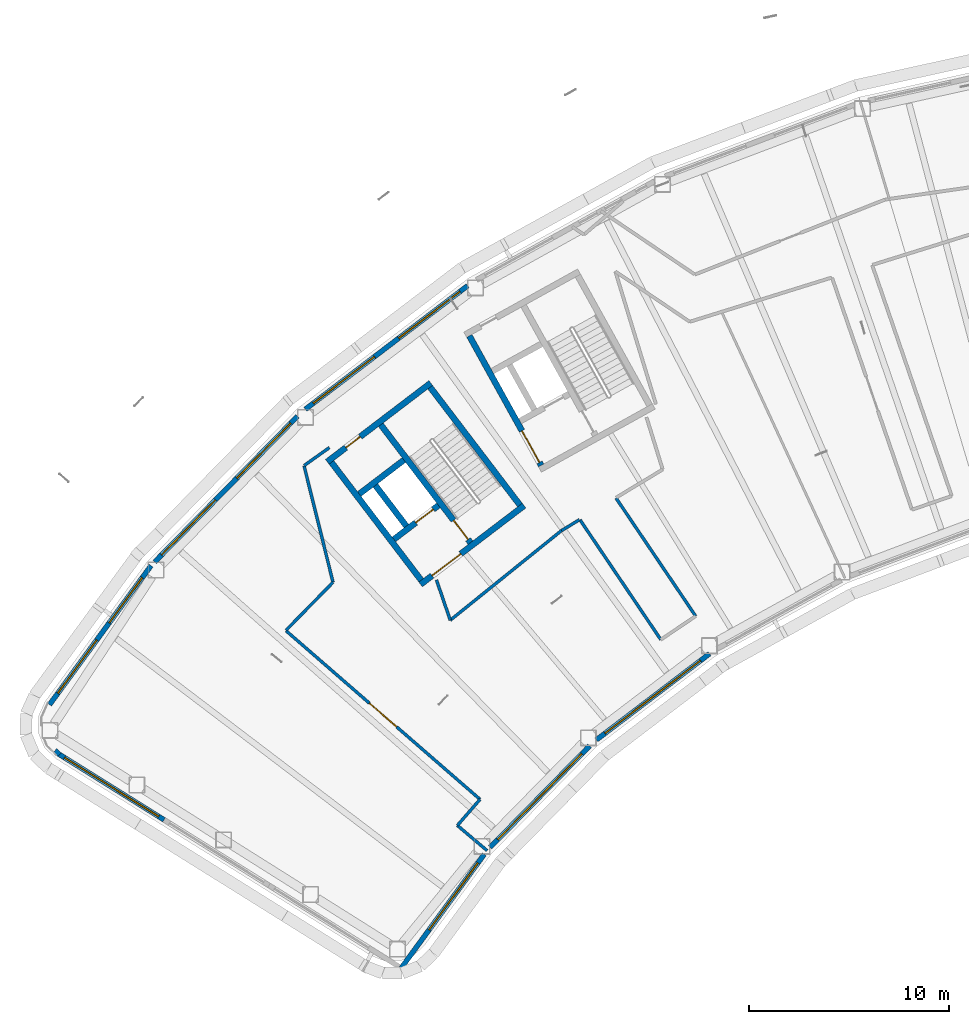
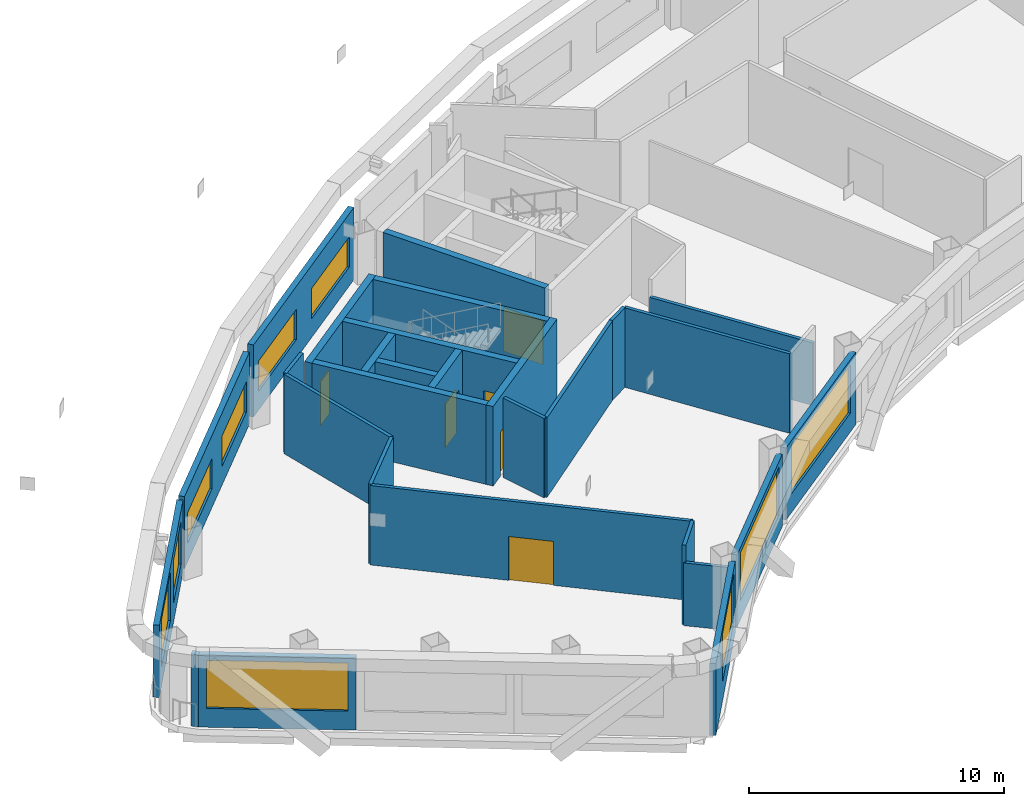
# One storey, part 5 of 21: 28 walls, 10 windows, 6 doors, 16 openings.
"""IFC4 building model written with IfcOpenShell, lengths in metres."""

from ifc_helpers import new_model, si_unit, direction, frame, frame_2d, origin, place, context, subcontext, project, spatial, rectangle, extrude, material, layer, layer_set, type_object, element, fill, save


model = new_model("IFC4")

# Units and contexts
model_context = context("Model", 3, precision=1e-05, world=origin(), true_north=direction((0.0, 1.0)))
body_context = subcontext(model_context, "Body", "Model", "MODEL_VIEW")
ifc_project = project(units=[si_unit("LENGTHUNIT", "METRE"), si_unit("AREAUNIT", "SQUARE_METRE"), si_unit("VOLUMEUNIT", "CUBIC_METRE"), si_unit("PLANEANGLEUNIT", "RADIAN"), si_unit("MASSUNIT", "GRAM", prefix="KILO")], contexts=[model_context])

# Site, building, storey
site_placement = place(None, origin())
site = spatial("IfcSite", under=ifc_project, at=site_placement, CompositionType="ELEMENT")
building_placement = place(site_placement, origin())
building = spatial("IfcBuilding", under=site, at=building_placement, Name="Tuul Gate Civic Tower", CompositionType="ELEMENT")
storey_placement = place(building_placement, frame((0.0, 0.0, 311.0)))
storey = spatial("IfcBuildingStorey", under=building, at=storey_placement, Name="Level 70", CompositionType="ELEMENT", Elevation=311.0)

# Wall, opening, door
ifc_material_1 = material(Name="Concrete C50/60", Category="concrete")
ifc_layer_1 = layer(ifc_material_1, 0.300048828125)
ifc_layer_set_1 = layer_set([ifc_layer_1], Name="Concrete C50/60")
wall_type_1 = type_object("IfcWallType", Name="Core wall C50/60", PredefinedType="SHEAR", material=ifc_layer_set_1)
wall_1_placement = place(storey_placement, frame((-31.19091796875, -13.669677734375, 0.0), z_axis=(0.0, 0.0, 1.0), x_axis=(-0.795606717756, -0.605813461934, 0.0)))
wall_1 = element("IfcWall", 1, at=wall_1_placement, inside=storey, type_object=wall_type_1, Name="Core wall", PredefinedType="SHEAR", context=body_context, shape_type="SweptSolid", body=[
    extrude(rectangle(XDim=6.5, YDim=0.300048828125, at=frame_2d((3.25, 0.0))), origin(), (0.0, 0.0, 1.0), 3.800048828125),
])
opening_1_placement = place(wall_1_placement, frame((3.97509765625, 0.0, 0.0)))
opening_1 = element("IfcOpeningElement", 2, at=opening_1_placement, cuts=wall_1, Name="Opening LB-W1-LOBBY-1", PredefinedType="OPENING", context=body_context, shape_type="SweptSolid", body=[
    extrude(rectangle(XDim=1.800048828125, YDim=2.10009765625, at=frame_2d((0.89990234375, 1.050048828125))), frame((0.0, 0.16015625, 0.0), z_axis=(0.0, -1.0, 0.0), x_axis=(1.0, 0.0, 0.0)), (0.0, 0.0, 1.0), 0.320068359375),
])
ifc_material_2 = material(Name="Steel", Category="steel")
door_type_1 = type_object("IfcDoorType", Name="Lobby door", OperationType="DOUBLE_DOOR_SINGLE_SWING", PredefinedType="DOOR", material=ifc_material_2)
door_1_placement = place(opening_1_placement, origin())
door_1 = element("IfcDoor", 3, at=door_1_placement, inside=storey, type_object=door_type_1, Name="Lobby door W1-LOBBY", OperationType="DOUBLE_DOOR_SINGLE_SWING", OverallHeight=2.10009765625, OverallWidth=1.800048828125, PredefinedType="DOOR", context=body_context, shape_type="SweptSolid", body=[
    extrude(rectangle(XDim=1.800048828125, YDim=2.10009765625, at=frame_2d((0.89990234375, 1.050048828125))), frame((0.0, 0.02490234375, 0.0), z_axis=(0.0, -1.0, 0.0), x_axis=(1.0, 0.0, 0.0)), (0.0, 0.0, 1.0), 0.050048828125),
])
fill(opening_1, door_1)

wall_2_placement = place(storey_placement, frame((-35.470947265625, -13.66064453125, 0.0), z_axis=(0.0, 0.0, 1.0), x_axis=(-0.795615822227, -0.605801504968, 0.0)))
wall_2 = element("IfcWall", 4, at=wall_2_placement, inside=storey, type_object=wall_type_1, Name="Core wall", PredefinedType="SHEAR", context=body_context, shape_type="SweptSolid", body=[
    extrude(rectangle(XDim=2.800048828125, YDim=0.300048828125, at=frame_2d((1.39990234375, 0.0))), origin(), (0.0, 0.0, 1.0), 3.800048828125),
])
opening_2_placement = place(wall_2_placement, frame((0.324951171875, 0.0, 0.0)))
opening_2 = element("IfcOpeningElement", 5, at=opening_2_placement, cuts=wall_2, Name="Opening LD-H1", PredefinedType="OPENING", context=body_context, shape_type="SweptSolid", body=[
    extrude(rectangle(XDim=1.10009765625, YDim=2.10009765625, at=frame_2d((0.550048828125, 1.050048828125))), frame((0.0, 0.16015625, 0.0), z_axis=(0.0, -1.0, 0.0), x_axis=(1.0, 0.0, 0.0)), (0.0, 0.0, 1.0), 0.320068359375),
])
ifc_material_3 = material(Name="Stainless steel", Category="steel")
door_type_2 = type_object("IfcDoorType", Name="Landing door", OperationType="DOUBLE_DOOR_SLIDING", PredefinedType="DOOR", material=ifc_material_3)
door_2_placement = place(opening_2_placement, origin())
door_2 = element("IfcDoor", 6, at=door_2_placement, inside=storey, type_object=door_type_2, Name="High-rise lift H1 landing door", OperationType="DOUBLE_DOOR_SLIDING", OverallHeight=2.10009765625, OverallWidth=1.10009765625, PredefinedType="DOOR", context=body_context, shape_type="SweptSolid", body=[
    extrude(rectangle(XDim=1.10009765625, YDim=2.10009765625, at=frame_2d((0.550048828125, 1.050048828125))), frame((0.0, 0.02490234375, 0.0), z_axis=(0.0, -1.0, 0.0), x_axis=(1.0, 0.0, 0.0)), (0.0, 0.0, 1.0), 0.050048828125),
])
fill(opening_2, door_2)

# Wall
wall_3_placement = place(storey_placement, frame((-37.197509765625, -11.39306640625, 0.0), z_axis=(0.0, 0.0, 1.0), x_axis=(-0.795583820278, -0.605843531707, 0.0)))
element("IfcWall", 7, at=wall_3_placement, inside=storey, type_object=wall_type_1, Name="Core wall", PredefinedType="SHEAR", context=body_context, shape_type="SweptSolid", body=[
    extrude(rectangle(XDim=2.7998046875, YDim=0.300048828125, at=frame_2d((1.39990234375, 0.0))), origin(), (0.0, 0.0, 1.0), 3.800048828125),
])

# Wall, opening, door
wall_4_placement = place(storey_placement, frame((-35.855224609375, -7.543212890625, 0.0), z_axis=(0.0, 0.0, 1.0), x_axis=(-0.79563860527, -0.605771582202, 0.0)))
wall_4 = element("IfcWall", 8, at=wall_4_placement, inside=storey, type_object=wall_type_1, Name="Core wall", PredefinedType="SHEAR", context=body_context, shape_type="SweptSolid", body=[
    extrude(rectangle(XDim=6.5, YDim=0.300048828125, at=frame_2d((3.25, 0.0))), origin(), (0.0, 0.0, 1.0), 3.800048828125),
])
opening_3_placement = place(wall_4_placement, frame((4.425048828125, 0.0, 0.0)))
opening_3 = element("IfcOpeningElement", 9, at=opening_3_placement, cuts=wall_4, Name="Opening Z-D14", PredefinedType="OPENING", context=body_context, shape_type="SweptSolid", body=[
    extrude(rectangle(XDim=0.89990234375, YDim=2.10009765625, at=frame_2d((0.449951171875, 1.050048828125))), frame((0.0, 0.16015625, 0.0), z_axis=(0.0, -1.0, 0.0), x_axis=(1.0, 0.0, 0.0)), (0.0, 0.0, 1.0), 0.320068359375),
])
ifc_material_4 = material(Name="Timber door leaf", Category="wood")
door_type_3 = type_object("IfcDoorType", Name="Door D09", OperationType="NOTDEFINED", PredefinedType="DOOR", material=ifc_material_4)
door_3_placement = place(opening_3_placement, origin())
door_3 = element("IfcDoor", 10, at=door_3_placement, inside=storey, type_object=door_type_3, Name="Door Z-D14", OperationType="SINGLE_SWING_LEFT", OverallHeight=2.10009765625, OverallWidth=0.89990234375, PredefinedType="DOOR", context=body_context, shape_type="SweptSolid", body=[
    extrude(rectangle(XDim=0.89990234375, YDim=2.10009765625, at=frame_2d((0.449951171875, 1.050048828125))), frame((0.0, 0.02490234375, 0.0), z_axis=(0.0, -1.0, 0.0), x_axis=(1.0, 0.0, 0.0)), (0.0, 0.0, 1.0), 0.050048828125),
])
fill(opening_3, door_3)

# Wall
wall_5_placement = place(storey_placement, frame((-31.401123046875, -13.64111328125, 0.0), z_axis=(0.0, 0.0, 1.0), x_axis=(-0.605769822278, 0.795639945213, 0.0)))
element("IfcWall", 11, at=wall_5_placement, inside=storey, type_object=wall_type_1, Name="Core wall", PredefinedType="SHEAR", context=body_context, shape_type="SweptSolid", body=[
    extrude(rectangle(XDim=7.39990234375, YDim=0.300048828125, at=frame_2d((3.699951171875, 0.0))), origin(), (0.0, 0.0, 1.0), 3.800048828125),
])

# Wall, opening, door
wall_6_placement = place(storey_placement, frame((-33.867431640625, -15.51904296875, 0.0), z_axis=(0.0, 0.0, 1.0), x_axis=(-0.605769822278, 0.795639945213, 0.0)))
wall_6 = element("IfcWall", 12, at=wall_6_placement, inside=storey, type_object=wall_type_1, Name="Core wall", PredefinedType="SHEAR", context=body_context, shape_type="SweptSolid", body=[
    extrude(rectangle(XDim=7.39990234375, YDim=0.300048828125, at=frame_2d((3.699951171875, 0.0))), origin(), (0.0, 0.0, 1.0), 3.800048828125),
])
opening_4_placement = place(wall_6_placement, frame((0.199951171875, 0.0, 0.0)))
opening_4 = element("IfcOpeningElement", 13, at=opening_4_placement, cuts=wall_6, Name="Opening SD-ST-1", PredefinedType="OPENING", context=body_context, shape_type="SweptSolid", body=[
    extrude(rectangle(XDim=1.199951171875, YDim=2.10009765625, at=frame_2d((0.60009765625, 1.050048828125))), frame((0.0, 0.16015625, 0.0), z_axis=(0.0, -1.0, 0.0), x_axis=(1.0, 0.0, 0.0)), (0.0, 0.0, 1.0), 0.320068359375),
])
ifc_material_5 = material(Name="Steel", Category="steel")
door_type_4 = type_object("IfcDoorType", Name="Stair door", OperationType="NOTDEFINED", PredefinedType="DOOR", material=ifc_material_5)
door_4_placement = place(opening_4_placement, origin())
door_4 = element("IfcDoor", 14, at=door_4_placement, inside=storey, type_object=door_type_4, Name="Stair door ST-1", OperationType="SINGLE_SWING_LEFT", OverallHeight=2.10009765625, OverallWidth=1.199951171875, PredefinedType="DOOR", context=body_context, shape_type="SweptSolid", body=[
    extrude(rectangle(XDim=1.199951171875, YDim=2.10009765625, at=frame_2d((0.60009765625, 1.050048828125))), frame((0.0, 0.02490234375, 0.0), z_axis=(0.0, -1.0, 0.0), x_axis=(1.0, 0.0, 0.0)), (0.0, 0.0, 1.0), 0.050048828125),
])
fill(opening_4, door_4)

# Walls
wall_7_placement = place(storey_placement, frame((-37.073486328125, -14.6923828125, 0.0), z_axis=(0.0, 0.0, 1.0), x_axis=(-0.605728760074, 0.79567120673, 0.0)))
element("IfcWall", 15, at=wall_7_placement, inside=storey, type_object=wall_type_1, Name="Core wall", PredefinedType="SHEAR", context=body_context, shape_type="SweptSolid", body=[
    extrude(rectangle(XDim=2.550048828125, YDim=0.300048828125, at=frame_2d((1.27490234375, 0.0))), origin(), (0.0, 0.0, 1.0), 3.800048828125),
])
wall_8_placement = place(storey_placement, frame((-36.333984375, -17.397216796875, 0.0), z_axis=(0.0, 0.0, 1.0), x_axis=(-0.605753921168, 0.795652051458, 0.0)))
element("IfcWall", 16, at=wall_8_placement, inside=storey, type_object=wall_type_1, Name="Core wall", PredefinedType="SHEAR", context=body_context, shape_type="SweptSolid", body=[
    extrude(rectangle(XDim=7.400146484375, YDim=0.300048828125, at=frame_2d((3.7001953125, 0.0))), origin(), (0.0, 0.0, 1.0), 3.800048828125),
])

# Wall, opening, door
wall_9_placement = place(storey_placement, frame((-30.33837890625, -11.6630859375, 0.0), z_axis=(0.0, 0.0, 1.0), x_axis=(-0.484751894226, 0.874651702704, 0.0)))
wall_9 = element("IfcWall", 17, at=wall_9_placement, inside=storey, type_object=wall_type_1, Name="Core wall", PredefinedType="SHEAR", context=body_context, shape_type="SweptSolid", body=[
    extrude(rectangle(XDim=7.39990234375, YDim=0.300048828125, at=frame_2d((3.699951171875, 0.0))), origin(), (0.0, 0.0, 1.0), 3.800048828125),
])
opening_5_placement = place(wall_9_placement, frame((0.175048828125, 0.0, 0.0)))
opening_5 = element("IfcOpeningElement", 18, at=opening_5_placement, cuts=wall_9, Name="Opening LB-W2-FLOBBY-1", PredefinedType="OPENING", context=body_context, shape_type="SweptSolid", body=[
    extrude(rectangle(XDim=1.800048828125, YDim=2.10009765625, at=frame_2d((0.89990234375, 1.050048828125))), frame((0.0, 0.16015625, 0.0), z_axis=(0.0, -1.0, 0.0), x_axis=(1.0, 0.0, 0.0)), (0.0, 0.0, 1.0), 0.320068359375),
])
door_5_placement = place(opening_5_placement, frame((1.800048828125, 0.0, 0.0), z_axis=(0.0, 0.0, 1.0), x_axis=(-1.0, 0.0, 0.0)))
door_5 = element("IfcDoor", 19, at=door_5_placement, inside=storey, type_object=door_type_1, Name="Lobby door W2-FLOBBY", OperationType="DOUBLE_DOOR_SINGLE_SWING", OverallHeight=2.10009765625, OverallWidth=1.800048828125, PredefinedType="DOOR", context=body_context, shape_type="SweptSolid", body=[
    extrude(rectangle(XDim=1.800048828125, YDim=2.10009765625, at=frame_2d((0.900146484375, 1.050048828125))), frame((0.0, 0.02490234375, 0.0), z_axis=(0.0, -1.0, 0.0), x_axis=(1.0, 0.0, 0.0)), (0.0, 0.0, 1.0), 0.050048828125),
])
fill(opening_5, door_5)

# Walls
ifc_material_6 = material(Name="Gypsum board partition")
ifc_layer_2 = layer(ifc_material_6, 0.14990234375)
ifc_layer_set_2 = layer_set([ifc_layer_2], Name="Gypsum board partition")
wall_type_2 = type_object("IfcWallType", Name="Corridor wall P150", PredefinedType="PARTITIONING", material=ifc_layer_set_2)
wall_10_placement = place(storey_placement, frame((-35.56982421875, -17.380859375, 0.0), z_axis=(0.0, 0.0, 1.0), x_axis=(0.324227629502, -0.945979092934, 0.0)))
element("IfcWall", 20, at=wall_10_placement, inside=storey, type_object=wall_type_2, Name="p055", PredefinedType="PARTITIONING", context=body_context, shape_type="SweptSolid", body=[
    extrude(rectangle(XDim=2.130126953125, YDim=0.14990234375, at=frame_2d((1.06494140625, 0.0))), origin(), (0.0, 0.0, 1.0), 3.800048828125),
])
wall_11_placement = place(storey_placement, frame((-34.879150390625, -19.39599609375, 0.0), z_axis=(0.0, 0.0, 1.0), x_axis=(0.778716330598, 0.627376184167, 0.0)))
element("IfcWall", 21, at=wall_11_placement, inside=storey, type_object=wall_type_2, Name="p056", PredefinedType="PARTITIONING", context=body_context, shape_type="SweptSolid", body=[
    extrude(rectangle(XDim=7.1416015625, YDim=0.14990234375, at=frame_2d((3.57080078125, 0.0))), origin(), (0.0, 0.0, 1.0), 3.800048828125),
])
wall_12_placement = place(storey_placement, frame((-29.31787109375, -14.91552734375, 0.0), z_axis=(0.0, 0.0, 1.0), x_axis=(0.856128829948, 0.516762446906, 0.0)))
element("IfcWall", 22, at=wall_12_placement, inside=storey, type_object=wall_type_2, Name="p058", PredefinedType="PARTITIONING", context=body_context, shape_type="SweptSolid", body=[
    extrude(rectangle(XDim=1.044677734375, YDim=0.14990234375, at=frame_2d((0.5224609375, 0.0))), origin(), (0.0, 0.0, 1.0), 3.800048828125),
])
wall_13_placement = place(storey_placement, frame((-28.39599609375, -14.3818359375, 0.0), z_axis=(0.0, 0.0, 1.0), x_axis=(0.559203299663, -0.82903056014, 0.0)))
element("IfcWall", 23, at=wall_13_placement, inside=storey, type_object=wall_type_2, Name="p060", PredefinedType="PARTITIONING", context=body_context, shape_type="SweptSolid", body=[
    extrude(rectangle(XDim=7.218505859375, YDim=0.14990234375, at=frame_2d((3.609375, 0.0))), origin(), (0.0, 0.0, 1.0), 3.800048828125),
])
wall_14_placement = place(storey_placement, frame((-34.52392578125, -29.6494140625, 0.0), z_axis=(0.0, 0.0, 1.0), x_axis=(0.65606659194, 0.754703005784, 0.0)))
element("IfcWall", 24, at=wall_14_placement, inside=storey, type_object=wall_type_2, Name="p067", PredefinedType="PARTITIONING", context=body_context, shape_type="SweptSolid", body=[
    extrude(rectangle(XDim=1.72509765625, YDim=0.14990234375, at=frame_2d((0.862548828125, 0.0))), origin(), (0.0, 0.0, 1.0), 3.800048828125),
])

# Wall, opening, door
wall_15_placement = place(storey_placement, frame((-43.08154296875, -19.924560546875, 0.0), z_axis=(0.0, 0.0, 1.0), x_axis=(0.754711953407, -0.656056298945, 0.0)))
wall_15 = element("IfcWall", 25, at=wall_15_placement, inside=storey, type_object=wall_type_2, Name="p068", PredefinedType="PARTITIONING", context=body_context, shape_type="SweptSolid", body=[
    extrude(rectangle(XDim=12.838623046875, YDim=0.14990234375, at=frame_2d((6.41943359375, 0.0))), origin(), (0.0, 0.0, 1.0), 3.800048828125),
])
opening_6_placement = place(wall_15_placement, frame((5.519287109375, 0.0, 0.0)))
opening_6 = element("IfcOpeningElement", 26, at=opening_6_placement, cuts=wall_15, Name="Opening Z-D10", PredefinedType="OPENING", context=body_context, shape_type="SweptSolid", body=[
    extrude(rectangle(XDim=1.800048828125, YDim=2.10009765625, at=frame_2d((0.89990234375, 1.050048828125))), frame((0.0, 0.0849609375, 0.0), z_axis=(0.0, -1.0, 0.0), x_axis=(1.0, 0.0, 0.0)), (0.0, 0.0, 1.0), 0.169921875),
])
ifc_material_7 = material(Name="Timber door leaf, double", Category="wood")
door_type_5 = type_object("IfcDoorType", Name="Door D18", OperationType="DOUBLE_DOOR_SINGLE_SWING", PredefinedType="DOOR", material=ifc_material_7)
door_6_placement = place(opening_6_placement, origin())
door_6 = element("IfcDoor", 27, at=door_6_placement, inside=storey, type_object=door_type_5, Name="Door Z-D10", OperationType="DOUBLE_DOOR_SINGLE_SWING", OverallHeight=2.10009765625, OverallWidth=1.800048828125, PredefinedType="DOOR", context=body_context, shape_type="SweptSolid", body=[
    extrude(rectangle(XDim=1.800048828125, YDim=2.10009765625, at=frame_2d((0.89990234375, 1.050048828125))), frame((0.0, 0.02490234375, 0.0), z_axis=(0.0, -1.0, 0.0), x_axis=(1.0, 0.0, 0.0)), (0.0, 0.0, 1.0), 0.050048828125),
])
fill(opening_6, door_6)

# Walls
wall_16_placement = place(storey_placement, frame((-43.082763671875, -19.894775390625, 0.0), z_axis=(0.0, 0.0, 1.0), x_axis=(0.700005863568, 0.714137095361, 0.0)))
element("IfcWall", 28, at=wall_16_placement, inside=storey, type_object=wall_type_2, Name="p069", PredefinedType="PARTITIONING", context=body_context, shape_type="SweptSolid", body=[
    extrude(rectangle(XDim=3.3515625, YDim=0.14990234375, at=frame_2d((1.67578125, 0.0))), origin(), (0.0, 0.0, 1.0), 3.800048828125),
])
wall_17_placement = place(storey_placement, frame((-42.18359375, -11.681396484375, 0.0), z_axis=(0.0, 0.0, 1.0), x_axis=(0.241290167868, -0.970453015292, 0.0)))
element("IfcWall", 29, at=wall_17_placement, inside=storey, type_object=wall_type_2, Name="p070", PredefinedType="PARTITIONING", context=body_context, shape_type="SweptSolid", body=[
    extrude(rectangle(XDim=5.9970703125, YDim=0.14990234375, at=frame_2d((2.99853515625, 0.0))), origin(), (0.0, 0.0, 1.0), 3.800048828125),
])
wall_18_placement = place(storey_placement, frame((-42.1748046875, -11.664794921875, 0.0), z_axis=(0.0, 0.0, 1.0), x_axis=(0.81496364476, 0.579512085914, 0.0)))
element("IfcWall", 30, at=wall_18_placement, inside=storey, type_object=wall_type_2, Name="p071", PredefinedType="PARTITIONING", context=body_context, shape_type="SweptSolid", body=[
    extrude(rectangle(XDim=1.539794921875, YDim=0.14990234375, at=frame_2d((0.77001953125, 0.0))), origin(), (0.0, 0.0, 1.0), 3.800048828125),
])
ifc_material_8 = material(Name="Gypsum board partition")
ifc_layer_3 = layer(ifc_material_8, 0.14990234375)
ifc_layer_set_3 = layer_set([ifc_layer_3], Name="Gypsum board partition")
wall_type_3 = type_object("IfcWallType", Name="Corridor wall P150 3000 HIGH", PredefinedType="PARTITIONING", material=ifc_layer_set_3)
wall_19_placement = place(storey_placement, frame((-26.594970703125, -13.296630859375, 0.0), z_axis=(0.0, 0.0, 1.0), x_axis=(0.559208072468, -0.829027340735, 0.0)))
element("IfcWall", 31, at=wall_19_placement, inside=storey, type_object=wall_type_3, Name="p062", PredefinedType="PARTITIONING", context=body_context, shape_type="SweptSolid", body=[
    extrude(rectangle(XDim=7.111083984375, YDim=0.14990234375, at=frame_2d((3.5556640625, 0.0))), origin(), (0.0, 0.0, 1.0), 3.0),
])
wall_20_placement = place(storey_placement, frame((-34.52392578125, -29.6494140625, 0.0), z_axis=(0.0, 0.0, 1.0), x_axis=(0.762895600574, -0.646521695402, 0.0)))
element("IfcWall", 32, at=wall_20_placement, inside=storey, type_object=wall_type_3, Name="p066", PredefinedType="PARTITIONING", context=body_context, shape_type="SweptSolid", body=[
    extrude(rectangle(XDim=1.94482421875, YDim=0.14990234375, at=frame_2d((0.972412109375, 0.0))), origin(), (0.0, 0.0, 1.0), 3.0),
])

# Wall, openings, windows
ifc_material_9 = material(Name="Precast concrete C40/50", Category="concrete")
ifc_layer_4 = layer(ifc_material_9, 0.25)
ifc_layer_set_4 = layer_set([ifc_layer_4], Name="Precast concrete C40/50")
wall_type_4 = type_object("IfcWallType", Name="External wall", PredefinedType="STANDARD", material=ifc_layer_set_4)
wall_21_placement = place(storey_placement, frame((-34.013916015625, -2.6865234375, 0.0), z_axis=(0.0, 0.0, 1.0), x_axis=(-0.795611005019, -0.605807831488, 0.0)))
wall_21 = element("IfcWall", 33, at=wall_21_placement, inside=storey, type_object=wall_type_4, Name="External wall", PredefinedType="STANDARD", context=body_context, shape_type="SweptSolid", body=[
    extrude(rectangle(XDim=10.188720703125, YDim=0.25, at=frame_2d((5.09423828125, 0.0))), origin(), (0.0, 0.0, 1.0), 3.449951171875),
])
opening_7_placement = place(wall_21_placement, frame((0.472900390625, 0.0, 0.89990234375)))
opening_7 = element("IfcOpeningElement", 34, at=opening_7_placement, cuts=wall_21, Name="Opening W103", PredefinedType="OPENING", context=body_context, shape_type="SweptSolid", body=[
    extrude(rectangle(XDim=3.85009765625, YDim=1.449951171875, at=frame_2d((1.925048828125, 0.72509765625))), frame((0.0, 0.135009765625, 0.0), z_axis=(0.0, -1.0, 0.0), x_axis=(1.0, 0.0, 0.0)), (0.0, 0.0, 1.0), 0.27001953125),
])
opening_8_placement = place(wall_21_placement, frame((5.844970703125, 0.0, 0.89990234375)))
opening_8 = element("IfcOpeningElement", 35, at=opening_8_placement, cuts=wall_21, Name="Opening W103", PredefinedType="OPENING", context=body_context, shape_type="SweptSolid", body=[
    extrude(rectangle(XDim=3.85009765625, YDim=1.449951171875, at=frame_2d((1.925048828125, 0.72509765625))), frame((0.0, 0.135009765625, 0.0), z_axis=(0.0, -1.0, 0.0), x_axis=(1.0, 0.0, 0.0)), (0.0, 0.0, 1.0), 0.27001953125),
])
ifc_material_10 = material(Name="Glass", Category="glass")
window_type_1 = type_object("IfcWindowType", Name="Window W103 3850 x 1450", PartitioningType="SINGLE_PANEL", PredefinedType="WINDOW", material=ifc_material_10)
window_1_placement = place(opening_7_placement, origin())
window_1 = element("IfcWindow", 36, at=window_1_placement, inside=storey, type_object=window_type_1, Name="Window", OverallHeight=1.449951171875, OverallWidth=3.85009765625, PartitioningType="SINGLE_PANEL", PredefinedType="WINDOW", context=body_context, shape_type="SweptSolid", body=[
    extrude(rectangle(XDim=3.85009765625, YDim=1.449951171875, at=frame_2d((1.925048828125, 0.72509765625))), frame((0.0, 0.030029296875, 0.0), z_axis=(0.0, -1.0, 0.0), x_axis=(1.0, 0.0, 0.0)), (0.0, 0.0, 1.0), 0.06005859375),
])
fill(opening_7, window_1)
window_2_placement = place(opening_8_placement, origin())
window_2 = element("IfcWindow", 37, at=window_2_placement, inside=storey, type_object=window_type_1, Name="Window", OverallHeight=1.449951171875, OverallWidth=3.85009765625, PartitioningType="SINGLE_PANEL", PredefinedType="WINDOW", context=body_context, shape_type="SweptSolid", body=[
    extrude(rectangle(XDim=3.85009765625, YDim=1.449951171875, at=frame_2d((1.925048828125, 0.72509765625))), frame((0.0, 0.030029296875, 0.0), z_axis=(0.0, -1.0, 0.0), x_axis=(1.0, 0.0, 0.0)), (0.0, 0.0, 1.0), 0.06005859375),
])
fill(opening_8, window_2)

wall_22_placement = place(storey_placement, frame((-42.509033203125, -9.20263671875, 0.0), z_axis=(0.0, 0.0, 1.0), x_axis=(-0.700044359254, -0.714099359387, 0.0)))
wall_22 = element("IfcWall", 38, at=wall_22_placement, inside=storey, type_object=wall_type_4, Name="External wall", PredefinedType="STANDARD", context=body_context, shape_type="SweptSolid", body=[
    extrude(rectangle(XDim=10.1962890625, YDim=0.25, at=frame_2d((5.09814453125, 0.0))), origin(), (0.0, 0.0, 1.0), 3.449951171875),
])
opening_9_placement = place(wall_22_placement, frame((0.489013671875, 0.0, 0.89990234375)))
opening_9 = element("IfcOpeningElement", 39, at=opening_9_placement, cuts=wall_22, Name="Opening W103", PredefinedType="OPENING", context=body_context, shape_type="SweptSolid", body=[
    extrude(rectangle(XDim=3.85009765625, YDim=1.449951171875, at=frame_2d((1.925048828125, 0.72509765625))), frame((0.0, 0.135009765625, 0.0), z_axis=(0.0, -1.0, 0.0), x_axis=(1.0, 0.0, 0.0)), (0.0, 0.0, 1.0), 0.27001953125),
])
opening_10_placement = place(wall_22_placement, frame((5.860107421875, 0.0, 0.89990234375)))
opening_10 = element("IfcOpeningElement", 40, at=opening_10_placement, cuts=wall_22, Name="Opening W103", PredefinedType="OPENING", context=body_context, shape_type="SweptSolid", body=[
    extrude(rectangle(XDim=3.85009765625, YDim=1.449951171875, at=frame_2d((1.925048828125, 0.72509765625))), frame((0.0, 0.135009765625, 0.0), z_axis=(0.0, -1.0, 0.0), x_axis=(1.0, 0.0, 0.0)), (0.0, 0.0, 1.0), 0.27001953125),
])
window_3_placement = place(opening_9_placement, origin())
window_3 = element("IfcWindow", 41, at=window_3_placement, inside=storey, type_object=window_type_1, Name="Window", OverallHeight=1.449951171875, OverallWidth=3.85009765625, PartitioningType="SINGLE_PANEL", PredefinedType="WINDOW", context=body_context, shape_type="SweptSolid", body=[
    extrude(rectangle(XDim=3.85009765625, YDim=1.449951171875, at=frame_2d((1.925048828125, 0.72509765625))), frame((0.0, 0.030029296875, 0.0), z_axis=(0.0, -1.0, 0.0), x_axis=(1.0, 0.0, 0.0)), (0.0, 0.0, 1.0), 0.06005859375),
])
fill(opening_9, window_3)
window_4_placement = place(opening_10_placement, origin())
window_4 = element("IfcWindow", 42, at=window_4_placement, inside=storey, type_object=window_type_1, Name="Window", OverallHeight=1.449951171875, OverallWidth=3.85009765625, PartitioningType="SINGLE_PANEL", PredefinedType="WINDOW", context=body_context, shape_type="SweptSolid", body=[
    extrude(rectangle(XDim=3.85009765625, YDim=1.449951171875, at=frame_2d((1.925048828125, 0.72509765625))), frame((0.0, 0.030029296875, 0.0), z_axis=(0.0, -1.0, 0.0), x_axis=(1.0, 0.0, 0.0)), (0.0, 0.0, 1.0), 0.06005859375),
])
fill(opening_10, window_4)

wall_23_placement = place(storey_placement, frame((-49.829345703125, -16.668701171875, 0.0), z_axis=(0.0, 0.0, 1.0), x_axis=(-0.589753911598, -0.807583013538, 0.0)))
wall_23 = element("IfcWall", 43, at=wall_23_placement, inside=storey, type_object=wall_type_4, Name="External wall", PredefinedType="STANDARD", context=body_context, shape_type="SweptSolid", body=[
    extrude(rectangle(XDim=8.599853515625, YDim=0.25, at=frame_2d((4.2998046875, 0.0))), origin(), (0.0, 0.0, 1.0), 3.449951171875),
])
opening_11_placement = place(wall_23_placement, frame((0.747314453125, 0.0, 0.89990234375)))
opening_11 = element("IfcOpeningElement", 44, at=opening_11_placement, cuts=wall_23, Name="Opening W114", PredefinedType="OPENING", context=body_context, shape_type="SweptSolid", body=[
    extrude(rectangle(XDim=2.800048828125, YDim=2.050048828125, at=frame_2d((1.39990234375, 1.02490234375))), frame((0.0, 0.135009765625, 0.0), z_axis=(0.0, -1.0, 0.0), x_axis=(1.0, 0.0, 0.0)), (0.0, 0.0, 1.0), 0.27001953125),
])
opening_12_placement = place(wall_23_placement, frame((4.600341796875, 0.0, 0.89990234375)))
opening_12 = element("IfcOpeningElement", 45, at=opening_12_placement, cuts=wall_23, Name="Opening W115", PredefinedType="OPENING", context=body_context, shape_type="SweptSolid", body=[
    extrude(rectangle(XDim=3.300048828125, YDim=2.300048828125, at=frame_2d((1.64990234375, 1.14990234375))), frame((0.0, 0.135009765625, 0.0), z_axis=(0.0, -1.0, 0.0), x_axis=(1.0, 0.0, 0.0)), (0.0, 0.0, 1.0), 0.27001953125),
])
ifc_material_11 = material(Name="Glass", Category="glass")
window_type_2 = type_object("IfcWindowType", Name="Window W114 2800 x 2050", PartitioningType="SINGLE_PANEL", PredefinedType="WINDOW", material=ifc_material_11)
window_5_placement = place(opening_11_placement, origin())
window_5 = element("IfcWindow", 46, at=window_5_placement, inside=storey, type_object=window_type_2, Name="Window", OverallHeight=2.050048828125, OverallWidth=2.800048828125, PartitioningType="SINGLE_PANEL", PredefinedType="WINDOW", context=body_context, shape_type="SweptSolid", body=[
    extrude(rectangle(XDim=2.800048828125, YDim=2.050048828125, at=frame_2d((1.39990234375, 1.02490234375))), frame((0.0, 0.030029296875, 0.0), z_axis=(0.0, -1.0, 0.0), x_axis=(1.0, 0.0, 0.0)), (0.0, 0.0, 1.0), 0.06005859375),
])
fill(opening_11, window_5)
ifc_material_12 = material(Name="Glass", Category="glass")
window_type_3 = type_object("IfcWindowType", Name="Window W115 3300 x 2300", PartitioningType="SINGLE_PANEL", PredefinedType="WINDOW", material=ifc_material_12)
window_6_placement = place(opening_12_placement, origin())
window_6 = element("IfcWindow", 47, at=window_6_placement, inside=storey, type_object=window_type_3, Name="Window", OverallHeight=2.300048828125, OverallWidth=3.300048828125, PartitioningType="SINGLE_PANEL", PredefinedType="WINDOW", context=body_context, shape_type="SweptSolid", body=[
    extrude(rectangle(XDim=3.300048828125, YDim=2.300048828125, at=frame_2d((1.64990234375, 1.14990234375))), frame((0.0, 0.030029296875, 0.0), z_axis=(0.0, -1.0, 0.0), x_axis=(1.0, 0.0, 0.0)), (0.0, 0.0, 1.0), 0.06005859375),
])
fill(opening_12, window_6)

# Wall
wall_24_placement = place(storey_placement, frame((-54.621826171875, -25.8994140625, 0.0), z_axis=(0.0, 0.0, 1.0), x_axis=(0.721804348931, -0.692097162156, 0.0)))
element("IfcWall", 48, at=wall_24_placement, inside=storey, type_object=wall_type_4, Name="External wall", PredefinedType="STANDARD", context=body_context, shape_type="SweptSolid", body=[
    extrude(rectangle(XDim=0.303955078125, YDim=0.25, at=frame_2d((0.15185546875, 0.0))), origin(), (0.0, 0.0, 1.0), 3.449951171875),
])

# Wall, opening, window
wall_25_placement = place(storey_placement, frame((-54.4228515625, -26.093994140625, 0.0), z_axis=(0.0, 0.0, 1.0), x_axis=(0.848053758074, -0.529910203164, 0.0)))
wall_25 = element("IfcWall", 49, at=wall_25_placement, inside=storey, type_object=wall_type_4, Name="External wall", PredefinedType="STANDARD", context=body_context, shape_type="SweptSolid", body=[
    extrude(rectangle(XDim=6.182861328125, YDim=0.25, at=frame_2d((3.09130859375, 0.0))), origin(), (0.0, 0.0, 1.0), 3.449951171875),
])
opening_13_placement = place(wall_25_placement, frame((0.31640625, 0.0, 0.89990234375)))
opening_13 = element("IfcOpeningElement", 50, at=opening_13_placement, cuts=wall_25, Name="Opening W24", PredefinedType="OPENING", context=body_context, shape_type="SweptSolid", body=[
    extrude(rectangle(XDim=5.550048828125, YDim=2.300048828125, at=frame_2d((2.77490234375, 1.14990234375))), frame((0.0, 0.135009765625, 0.0), z_axis=(0.0, -1.0, 0.0), x_axis=(1.0, 0.0, 0.0)), (0.0, 0.0, 1.0), 0.27001953125),
])
ifc_material_13 = material(Name="Glass", Category="glass")
window_type_4 = type_object("IfcWindowType", Name="Window W24 5550 x 2300", PartitioningType="SINGLE_PANEL", PredefinedType="WINDOW", material=ifc_material_13)
window_7_placement = place(opening_13_placement, origin())
window_7 = element("IfcWindow", 51, at=window_7_placement, inside=storey, type_object=window_type_4, Name="Window", OverallHeight=2.300048828125, OverallWidth=5.550048828125, PartitioningType="SINGLE_PANEL", PredefinedType="WINDOW", context=body_context, shape_type="SweptSolid", body=[
    extrude(rectangle(XDim=5.550048828125, YDim=2.300048828125, at=frame_2d((2.77490234375, 1.14990234375))), frame((0.0, 0.030029296875, 0.0), z_axis=(0.0, -1.0, 0.0), x_axis=(1.0, 0.0, 0.0)), (0.0, 0.0, 1.0), 0.06005859375),
])
fill(opening_13, window_7)

wall_26_placement = place(storey_placement, frame((-37.3310546875, -36.77392578125, 0.0), z_axis=(0.0, 0.0, 1.0), x_axis=(0.589738966527, 0.807593927267, 0.0)))
wall_26 = element("IfcWall", 52, at=wall_26_placement, inside=storey, type_object=wall_type_4, Name="External wall", PredefinedType="STANDARD", context=body_context, shape_type="SweptSolid", body=[
    extrude(rectangle(XDim=7.034423828125, YDim=0.25, at=frame_2d((3.51708984375, 0.0))), origin(), (0.0, 0.0, 1.0), 3.449951171875),
])
opening_14_placement = place(wall_26_placement, frame((2.356689453125, 0.0, 0.89990234375)))
opening_14 = element("IfcOpeningElement", 53, at=opening_14_placement, cuts=wall_26, Name="Opening W25", PredefinedType="OPENING", context=body_context, shape_type="SweptSolid", body=[
    extrude(rectangle(XDim=4.14990234375, YDim=2.300048828125, at=frame_2d((2.074951171875, 1.14990234375))), frame((0.0, 0.135009765625, 0.0), z_axis=(0.0, -1.0, 0.0), x_axis=(1.0, 0.0, 0.0)), (0.0, 0.0, 1.0), 0.27001953125),
])
ifc_material_14 = material(Name="Glass", Category="glass")
window_type_5 = type_object("IfcWindowType", Name="Window W25 4150 x 2300", PartitioningType="SINGLE_PANEL", PredefinedType="WINDOW", material=ifc_material_14)
window_8_placement = place(opening_14_placement, origin())
window_8 = element("IfcWindow", 54, at=window_8_placement, inside=storey, type_object=window_type_5, Name="Window", OverallHeight=2.300048828125, OverallWidth=4.14990234375, PartitioningType="SINGLE_PANEL", PredefinedType="WINDOW", context=body_context, shape_type="SweptSolid", body=[
    extrude(rectangle(XDim=4.14990234375, YDim=2.300048828125, at=frame_2d((2.074951171875, 1.14990234375))), frame((0.0, 0.030029296875, 0.0), z_axis=(0.0, -1.0, 0.0), x_axis=(1.0, 0.0, 0.0)), (0.0, 0.0, 1.0), 0.06005859375),
])
fill(opening_14, window_8)

wall_27_placement = place(storey_placement, frame((-32.89306640625, -30.749267578125, 0.0), z_axis=(0.0, 0.0, 1.0), x_axis=(0.700033997015, 0.714109517528, 0.0)))
wall_27 = element("IfcWall", 55, at=wall_27_placement, inside=storey, type_object=wall_type_4, Name="External wall", PredefinedType="STANDARD", context=body_context, shape_type="SweptSolid", body=[
    extrude(rectangle(XDim=7.111572265625, YDim=0.25, at=frame_2d((3.5556640625, 0.0))), origin(), (0.0, 0.0, 1.0), 3.449951171875),
])
opening_15_placement = place(wall_27_placement, frame((0.555908203125, 0.0, 0.89990234375)))
opening_15 = element("IfcOpeningElement", 56, at=opening_15_placement, cuts=wall_27, Name="Opening W26", PredefinedType="OPENING", context=body_context, shape_type="SweptSolid", body=[
    extrude(rectangle(XDim=6.0, YDim=2.300048828125, at=frame_2d((3.0, 1.14990234375))), frame((0.0, 0.135009765625, 0.0), z_axis=(0.0, -1.0, 0.0), x_axis=(1.0, 0.0, 0.0)), (0.0, 0.0, 1.0), 0.27001953125),
])
ifc_material_15 = material(Name="Glass", Category="glass")
window_type_6 = type_object("IfcWindowType", Name="Window W26 6000 x 2300", PartitioningType="SINGLE_PANEL", PredefinedType="WINDOW", material=ifc_material_15)
window_9_placement = place(opening_15_placement, origin())
window_9 = element("IfcWindow", 57, at=window_9_placement, inside=storey, type_object=window_type_6, Name="Window", OverallHeight=2.300048828125, OverallWidth=6.0, PartitioningType="SINGLE_PANEL", PredefinedType="WINDOW", context=body_context, shape_type="SweptSolid", body=[
    extrude(rectangle(XDim=6.0, YDim=2.300048828125, at=frame_2d((3.0, 1.14990234375))), frame((0.0, 0.030029296875, 0.0), z_axis=(0.0, -1.0, 0.0), x_axis=(1.0, 0.0, 0.0)), (0.0, 0.0, 1.0), 0.06005859375),
])
fill(opening_15, window_9)

wall_28_placement = place(storey_placement, frame((-27.5791015625, -25.3759765625, 0.0), z_axis=(0.0, 0.0, 1.0), x_axis=(0.795582375141, 0.605845429433, 0.0)))
wall_28 = element("IfcWall", 58, at=wall_28_placement, inside=storey, type_object=wall_type_4, Name="External wall", PredefinedType="STANDARD", context=body_context, shape_type="SweptSolid", body=[
    extrude(rectangle(XDim=7.10400390625, YDim=0.25, at=frame_2d((3.552001953125, 0.0))), origin(), (0.0, 0.0, 1.0), 3.449951171875),
])
opening_16_placement = place(wall_28_placement, frame((0.541259765625, 0.0, 0.89990234375)))
opening_16 = element("IfcOpeningElement", 59, at=opening_16_placement, cuts=wall_28, Name="Opening W26", PredefinedType="OPENING", context=body_context, shape_type="SweptSolid", body=[
    extrude(rectangle(XDim=6.0, YDim=2.300048828125, at=frame_2d((3.0, 1.14990234375))), frame((0.0, 0.135009765625, 0.0), z_axis=(0.0, -1.0, 0.0), x_axis=(1.0, 0.0, 0.0)), (0.0, 0.0, 1.0), 0.27001953125),
])
window_10_placement = place(opening_16_placement, origin())
window_10 = element("IfcWindow", 60, at=window_10_placement, inside=storey, type_object=window_type_6, Name="Window", OverallHeight=2.300048828125, OverallWidth=6.0, PartitioningType="SINGLE_PANEL", PredefinedType="WINDOW", context=body_context, shape_type="SweptSolid", body=[
    extrude(rectangle(XDim=6.0, YDim=2.300048828125, at=frame_2d((3.0, 1.14990234375))), frame((0.0, 0.030029296875, 0.0), z_axis=(0.0, -1.0, 0.0), x_axis=(1.0, 0.0, 0.0)), (0.0, 0.0, 1.0), 0.06005859375),
])
fill(opening_16, window_10)

save(model, "model.ifc")
